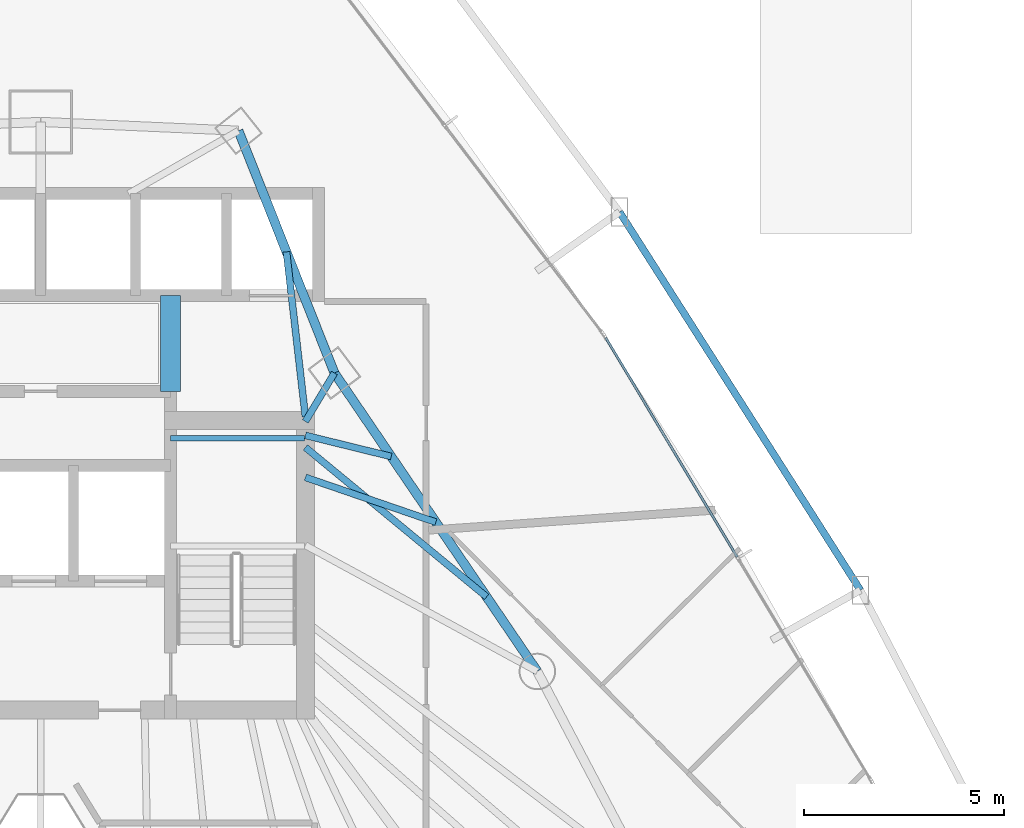
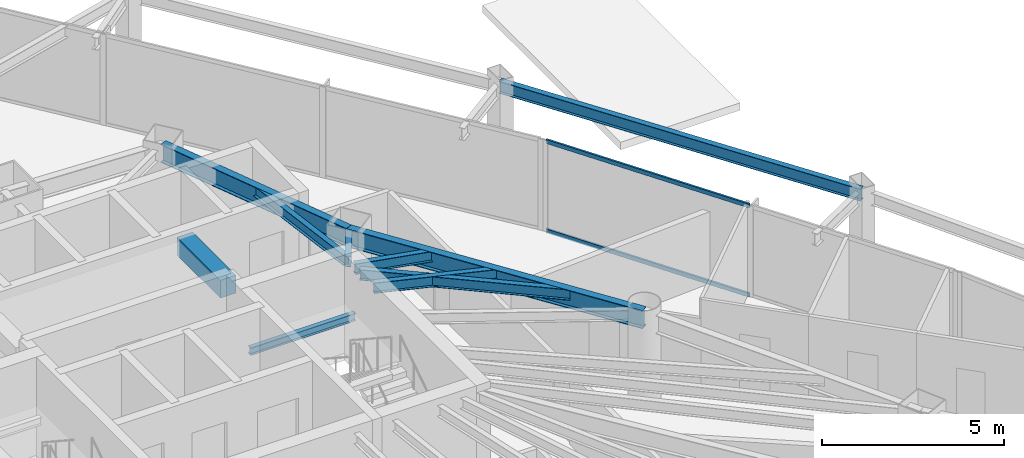
# One storey, part 26 of 35: 10 beams, 2 members, 1 element without a shape of its own.
"""IFC4 building model written with IfcOpenShell, lengths in metres."""

from ifc_helpers import new_model, si_unit, direction, frame, origin, origin_2d, place, context, subcontext, project, spatial, rectangle, hollow_rectangle, i_section, extrude, material, layer, layer_set, material_profile, profile_set, type_object, element, aggregate, save


model = new_model("IFC4")

# Units and contexts
model_context = context("Model", 3, precision=1e-05, world=origin(), true_north=direction((0.0, 1.0)))
body_context = subcontext(model_context, "Body", "Model", "MODEL_VIEW")
ifc_project = project(units=[si_unit("LENGTHUNIT", "METRE"), si_unit("AREAUNIT", "SQUARE_METRE"), si_unit("VOLUMEUNIT", "CUBIC_METRE"), si_unit("PLANEANGLEUNIT", "RADIAN"), si_unit("MASSUNIT", "GRAM", prefix="KILO")], contexts=[model_context])

# Site, building, storey
site_placement = place(None, origin())
site = spatial("IfcSite", under=ifc_project, at=site_placement, CompositionType="ELEMENT")
building_placement = place(site_placement, origin())
building = spatial("IfcBuilding", under=site, at=building_placement, Name="Orvanel Arch Residences", CompositionType="ELEMENT")
storey_placement = place(building_placement, frame((0.0, 0.0, 26.89990234375)))
storey = spatial("IfcBuildingStorey", under=building, at=storey_placement, Name="L06", CompositionType="ELEMENT", Elevation=26.89990234375)

# Beams
ifc_material_1 = material(Name="Structural steel AS/NZS 3679.1 Grade 300 (300 MPa)", Category="steel")
ifc_material_profile_1 = material_profile(ifc_material_1, i_section(OverallWidth=0.14599609375, OverallDepth=0.251953125, WebThickness=0.006103515625, FlangeThickness=0.008544921875, at=origin_2d()), Name="250UB31.4")
ifc_profile_set_1 = profile_set([ifc_material_profile_1], Name="Structural steel AS/NZS 3679.1 Grade 300 (300 MPa)")
beam_type_1 = type_object("IfcBeamType", Name="BJ-250UB", PredefinedType="JOIST", material=ifc_profile_set_1)
beam_1_placement = place(storey_placement, frame((36.25, 33.47998046875, 1.32421875), z_axis=(1.0, 0.0, 0.0), x_axis=(0.0, 1.0, 0.0)))
element("IfcBeam", 1, at=beam_1_placement, inside=storey, type_object=beam_type_1, Name="L06 ST-2 Half-Landing Support Beam 1.2", PredefinedType="JOIST", context=body_context, shape_type="SweptSolid", body=[
    extrude(i_section(OverallWidth=0.14599609375, OverallDepth=0.251953125, WebThickness=0.006103515625, FlangeThickness=0.008544921875, at=origin_2d()), origin(), (0.0, 0.0, 1.0), 3.35009765625),
])
ifc_material_profile_2 = material_profile(ifc_material_1, i_section(OverallWidth=0.1708984375, OverallDepth=0.35595703125, WebThickness=0.00732421875, FlangeThickness=0.011474609375, at=origin_2d()), Name="360UB50.7")
ifc_profile_set_2 = profile_set([ifc_material_profile_2], Name="Structural steel AS/NZS 3679.1 Grade 300 (300 MPa)")
beam_type_2 = type_object("IfcBeamType", Name="BJ-360UB", PredefinedType="JOIST", material=ifc_profile_set_2)
beam_2_placement = place(storey_placement, frame((39.625, 33.89990234375, 2.882080078125), z_axis=(0.514064138778, 0.857751748015, 0.0), x_axis=(-0.857751748015, 0.514064138778, 0.0)))
element("IfcBeam", 2, at=beam_2_placement, inside=storey, type_object=beam_type_2, Name="L06 NNE Wing Floor Joist", PredefinedType="JOIST", context=body_context, shape_type="SweptSolid", body=[
    extrude(i_section(OverallWidth=0.1708984375, OverallDepth=0.35595703125, WebThickness=0.00732421875, FlangeThickness=0.011474609375, at=origin_2d()), origin(), (0.0, 0.0, 1.0), 1.414306640625),
])
beam_3_placement = place(storey_placement, frame((39.625, 34.02001953125, 2.882080078125), z_axis=(-0.114186670431, 0.993459311847, 0.0), x_axis=(-0.993459311847, -0.114186670431, 0.0)))
element("IfcBeam", 3, at=beam_3_placement, inside=storey, type_object=beam_type_2, Name="L06 NNE2 Wing Floor Joist", PredefinedType="JOIST", context=body_context, shape_type="SweptSolid", body=[
    extrude(i_section(OverallWidth=0.1708984375, OverallDepth=0.35595703125, WebThickness=0.00732421875, FlangeThickness=0.011474609375, at=origin_2d()), origin(), (0.0, 0.0, 1.0), 4.152099609375),
])
beam_4_placement = place(storey_placement, frame((39.625, 32.5, 2.882080078125), z_axis=(0.945658073701, -0.325162740247, 0.0), x_axis=(0.325162740247, 0.945658073701, 0.0)))
element("IfcBeam", 4, at=beam_4_placement, inside=storey, type_object=beam_type_2, Name="L06 ENE Wing Floor Joist", PredefinedType="JOIST", context=body_context, shape_type="SweptSolid", body=[
    extrude(i_section(OverallWidth=0.1708984375, OverallDepth=0.35595703125, WebThickness=0.00732421875, FlangeThickness=0.011474609375, at=origin_2d()), origin(), (0.0, 0.0, 1.0), 3.453857421875),
])
beam_5_placement = place(storey_placement, frame((39.625, 33.25, 2.882080078125), z_axis=(0.771468562814, -0.636267441089, 0.0), x_axis=(0.636267441089, 0.771468562814, 0.0)))
element("IfcBeam", 5, at=beam_5_placement, inside=storey, type_object=beam_type_2, Name="L06 LE Wing Floor Joist", PredefinedType="JOIST", context=body_context, shape_type="SweptSolid", body=[
    extrude(i_section(OverallWidth=0.1708984375, OverallDepth=0.35595703125, WebThickness=0.00732421875, FlangeThickness=0.011474609375, at=origin_2d()), origin(), (0.0, 0.0, 1.0), 5.879638671875),
])
beam_6_placement = place(storey_placement, frame((39.625, 33.550048828125, 2.882080078125), z_axis=(0.971005818547, -0.239055851942, 0.0), x_axis=(0.239055851942, 0.971005818547, 0.0)))
element("IfcBeam", 6, at=beam_6_placement, inside=storey, type_object=beam_type_2, Name="L06 JADD4 Wing Floor Joist", PredefinedType="JOIST", context=body_context, shape_type="SweptSolid", body=[
    extrude(i_section(OverallWidth=0.1708984375, OverallDepth=0.35595703125, WebThickness=0.00732421875, FlangeThickness=0.011474609375, at=origin_2d()), origin(), (0.0, 0.0, 1.0), 2.213134765625),
])
ifc_material_2 = material(Name="Concrete S65 (65 MPa)", Category="concrete")
ifc_material_profile_3 = material_profile(ifc_material_2, rectangle(XDim=0.5, YDim=0.60009765625, at=origin_2d()), Name="RC500x600")
ifc_profile_set_3 = profile_set([ifc_material_profile_3], Name="Concrete S65 (65 MPa)")
beam_type_3 = type_object("IfcBeamType", Name="CB-500x600", PredefinedType="LINTEL", material=ifc_profile_set_3)
beam_7_placement = place(storey_placement, frame((36.25, 34.64990234375, 2.760009765625), z_axis=(0.0, 1.0, 0.0), x_axis=(-1.0, 0.0, 0.0)))
element("IfcBeam", 7, at=beam_7_placement, inside=storey, type_object=beam_type_3, Name="L06 East Core Lobby Coupling Lintel Beam", PredefinedType="LINTEL", context=body_context, shape_type="SweptSolid", body=[
    extrude(rectangle(XDim=0.5, YDim=0.60009765625, at=origin_2d()), origin(), (0.0, 0.0, 1.0), 2.400146484375),
])
ifc_material_profile_4 = material_profile(ifc_material_1, i_section(OverallWidth=0.177978515625, OverallDepth=0.406005859375, WebThickness=0.0078125, FlangeThickness=0.0126953125, at=origin_2d()), Name="410UB59.7")
ifc_profile_set_4 = profile_set([ifc_material_profile_4], Name="Structural steel AS/NZS 3679.1 Grade 300 (300 MPa)")
beam_type_4 = type_object("IfcBeamType", Name="OB-410UB-EXT", PredefinedType="SPANDREL", material=ifc_profile_set_4)
beam_8_placement = place(storey_placement, frame((53.51904296875, 29.675048828125, 2.857177734375), z_axis=(-0.537187878794, 0.843462614985, 0.0), x_axis=(-0.843462614985, -0.537187878794, 0.0)))
element("IfcBeam", 8, at=beam_8_placement, inside=storey, type_object=beam_type_4, Name="L06 Outer Perimeter Floor Ring Beam 10", PredefinedType="SPANDREL", context=body_context, shape_type="SweptSolid", body=[
    extrude(i_section(OverallWidth=0.177978515625, OverallDepth=0.406005859375, WebThickness=0.0078125, FlangeThickness=0.0126953125, at=origin_2d()), origin(), (0.0, 0.0, 1.0), 11.22509765625),
])
ifc_material_profile_5 = material_profile(ifc_material_1, i_section(OverallWidth=0.22900390625, OverallDepth=0.612060546875, WebThickness=0.011962890625, FlangeThickness=0.01953125, at=origin_2d()), Name="610UB125")
ifc_profile_set_5 = profile_set([ifc_material_profile_5], Name="Structural steel AS/NZS 3679.1 Grade 300 (300 MPa)")
beam_type_5 = type_object("IfcBeamType", Name="SP-610UB", PredefinedType="SPANDREL", material=ifc_profile_set_5)
beam_9_placement = place(storey_placement, frame((45.430908203125, 27.64111328125, 2.754150390625), z_axis=(-0.562154793153, 0.827032035978, 0.0), x_axis=(-0.827032035978, -0.562154793153, 0.0)))
element("IfcBeam", 9, at=beam_9_placement, inside=storey, type_object=beam_type_5, Name="L06 Perimeter Spandrel Beam 14", PredefinedType="SPANDREL", context=body_context, shape_type="SweptSolid", body=[
    extrude(i_section(OverallWidth=0.22900390625, OverallDepth=0.612060546875, WebThickness=0.011962890625, FlangeThickness=0.01953125, at=origin_2d()), origin(), (0.0, 0.0, 1.0), 9.03466796875),
])
beam_10_placement = place(storey_placement, frame((40.35205078125, 35.113037109375, 2.754150390625), z_axis=(-0.368233143579, 0.929733484376, 0.0), x_axis=(-0.929733484376, -0.368233143579, 0.0)))
element("IfcBeam", 10, at=beam_10_placement, inside=storey, type_object=beam_type_5, Name="L06 Perimeter Spandrel Beam 15", PredefinedType="SPANDREL", context=body_context, shape_type="SweptSolid", body=[
    extrude(i_section(OverallWidth=0.22900390625, OverallDepth=0.612060546875, WebThickness=0.011962890625, FlangeThickness=0.01953125, at=origin_2d()), origin(), (0.0, 0.0, 1.0), 6.523193359375),
])

# Curtain wall, members
ifc_material_3 = material(Name="Bronze-anodised aluminium AA6063-T6", Category="aluminium")
ifc_layer = layer(ifc_material_3, 0.179931640625)
ifc_layer_set = layer_set([ifc_layer], Name="Bronze-anodised aluminium AA6063-T6")
curtain_wall_type = type_object("IfcCurtainWallType", Name="CW2-LOW-SYS", PredefinedType="NOTDEFINED", material=ifc_layer_set)
curtain_wall_placement = place(storey_placement, origin())
curtain_wall = element("IfcCurtainWall", 11, at=curtain_wall_placement, inside=storey, type_object=curtain_wall_type, Name="L06 CW2-LOW-SYS Unitised Curtain Wall", PredefinedType="NOTDEFINED")
ifc_material_profile_6 = material_profile(ifc_material_3, hollow_rectangle(XDim=0.06005859375, YDim=0.135009765625, WallThickness=0.00390625, at=origin_2d()), Name="ALU135x60x4")
ifc_profile_set_6 = profile_set([ifc_material_profile_6], Name="Bronze-anodised aluminium AA6063-T6")
member_type = type_object("IfcMemberType", Name="TRN-135x60", PredefinedType="USERDEFINED", material=ifc_profile_set_6)
member_1_placement = place(storey_placement, frame((50.431884765625, 30.509521484375, 0.030029296875), z_axis=(-0.514411623983, 0.857543398967, 0.0), x_axis=(-0.857543398967, -0.514411623983, 0.0)))
member_1 = element("IfcMember", 12, at=member_1_placement, type_object=member_type, Name="CW-S2 transom 2.1", ObjectType="TRANSOM", PredefinedType="USERDEFINED", context=body_context, shape_type="SweptSolid", body=[
    extrude(hollow_rectangle(XDim=0.06005859375, YDim=0.135009765625, WallThickness=0.00390625, at=origin_2d()), origin(), (0.0, 0.0, 1.0), 6.4013671875),
])
member_2_placement = place(storey_placement, frame((50.431884765625, 30.509521484375, 3.030029296875), z_axis=(-0.514411623983, 0.857543398967, 0.0), x_axis=(-0.857543398967, -0.514411623983, 0.0)))
member_2 = element("IfcMember", 13, at=member_2_placement, type_object=member_type, Name="CW-S2 transom 2.2", ObjectType="TRANSOM", PredefinedType="USERDEFINED", context=body_context, shape_type="SweptSolid", body=[
    extrude(hollow_rectangle(XDim=0.06005859375, YDim=0.135009765625, WallThickness=0.00390625, at=origin_2d()), origin(), (0.0, 0.0, 1.0), 6.4013671875),
])
aggregate(curtain_wall, [member_1, member_2])

save(model, "model.ifc")
